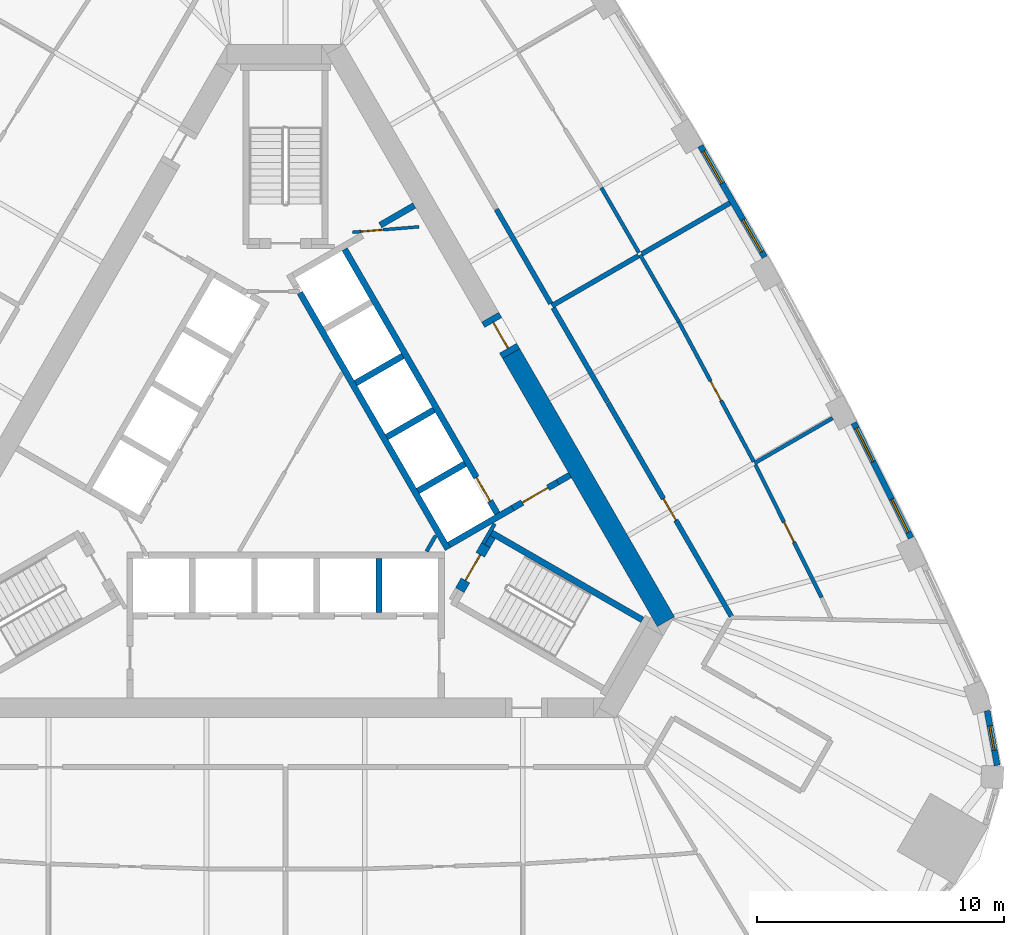
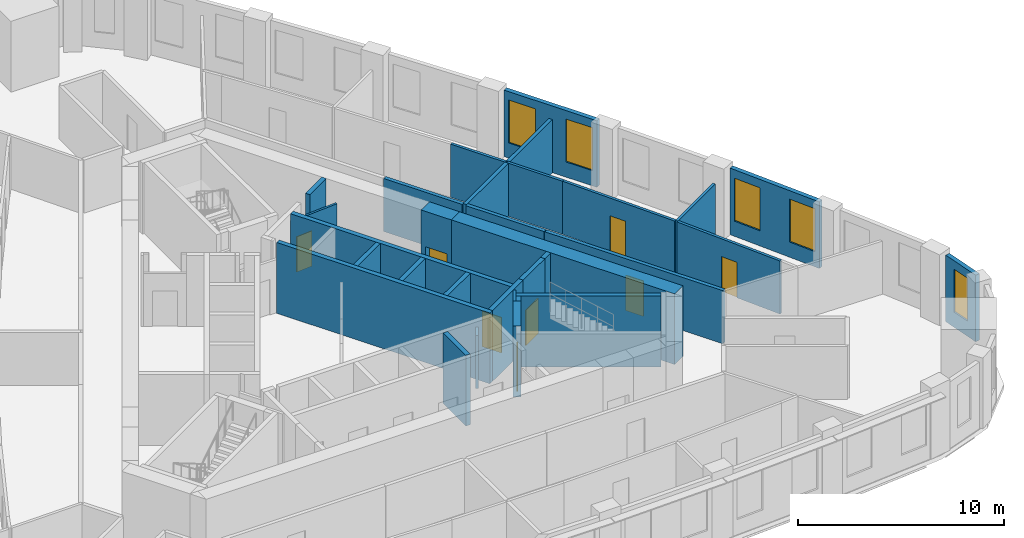
# One storey, part 7 of 10: 31 walls, 8 doors, 5 windows, 13 openings.
"""IFC4 building model written with IfcOpenShell, lengths in metres."""

from ifc_helpers import new_model, si_unit, direction, frame, frame_2d, origin, place, context, subcontext, project, spatial, rectangle, extrude, material, layer, layer_set, type_object, element, fill, save


model = new_model("IFC4")

# Units and contexts
model_context = context("Model", 3, precision=1e-05, world=origin(), true_north=direction((0.0, 1.0)))
body_context = subcontext(model_context, "Body", "Model", "MODEL_VIEW")
ifc_project = project(units=[si_unit("LENGTHUNIT", "METRE"), si_unit("AREAUNIT", "SQUARE_METRE"), si_unit("VOLUMEUNIT", "CUBIC_METRE"), si_unit("PLANEANGLEUNIT", "RADIAN"), si_unit("MASSUNIT", "GRAM", prefix="KILO")], contexts=[model_context])

# Site, building, storey
site_placement = place(None, origin())
site = spatial("IfcSite", under=ifc_project, at=site_placement, CompositionType="ELEMENT")
building_placement = place(site_placement, origin())
building = spatial("IfcBuilding", under=site, at=building_placement, Name="Mestral Congress Tower", CompositionType="ELEMENT")
storey_placement = place(building_placement, frame((0.0, 0.0, 162.60009765625)))
storey = spatial("IfcBuildingStorey", under=building, at=storey_placement, Name="L38", CompositionType="ELEMENT", Elevation=162.60009765625)

# Wall
ifc_material_1 = material(Name="Fire-rated board partition")
ifc_layer_1 = layer(ifc_material_1, 0.14990234375)
ifc_layer_set_1 = layer_set([ifc_layer_1], Name="Fire-rated board partition")
wall_type_1 = type_object("IfcWallType", Name="Core partition 150", PredefinedType="PARTITIONING", material=ifc_layer_set_1)
wall_1_placement = place(storey_placement, frame((5.704833984375, -3.718017578125, 0.0), z_axis=(0.0, 0.0, 1.0), x_axis=(0.499962090823, 0.866047289552, 0.0)))
element("IfcWall", 1, at=wall_1_placement, inside=storey, type_object=wall_type_1, Name="L38 core wall", PredefinedType="PARTITIONING", context=body_context, shape_type="SweptSolid", body=[
    extrude(rectangle(XDim=0.73486328125, YDim=0.14990234375, at=frame_2d((0.367431640625, 0.0))), origin(), (0.0, 0.0, 1.0), 3.14990234375),
])

# Wall, opening, door
ifc_layer_2 = layer(ifc_material_1, 0.1201171875)
ifc_layer_set_2 = layer_set([ifc_layer_2], Name="Fire-rated board partition")
wall_type_2 = type_object("IfcWallType", Name="Core partition 150 door-wall 120", PredefinedType="PARTITIONING", material=ifc_layer_set_2)
wall_2_placement = place(storey_placement, frame((5.3984375, 9.418701171875, 0.0), z_axis=(0.0, 0.0, 1.0), x_axis=(-0.996653416376, -0.081743303248, 0.0)))
wall_2 = element("IfcWall", 2, at=wall_2_placement, inside=storey, type_object=wall_type_2, Name="L38 door wall", PredefinedType="PARTITIONING", context=body_context, shape_type="SweptSolid", body=[
    extrude(rectangle(XDim=2.699951171875, YDim=0.119873046875, at=frame_2d((1.35009765625, 0.0))), origin(), (0.0, 0.0, 1.0), 3.14990234375),
])
opening_1_placement = place(wall_2_placement, frame((1.449951171875, 0.0, 0.0)))
opening_1 = element("IfcOpeningElement", 3, at=opening_1_placement, cuts=wall_2, Name="Opening TD2", PredefinedType="OPENING", context=body_context, shape_type="SweptSolid", body=[
    extrude(rectangle(XDim=0.89990234375, YDim=2.10009765625, at=frame_2d((0.449951171875, 1.050048828125))), frame((0.0, 0.06982421875, 0.0), z_axis=(0.0, -1.0, 0.0), x_axis=(1.0, 0.0, 0.0)), (0.0, 0.0, 1.0), 0.139892578125),
])
ifc_material_2 = material(Name="Fire-rated steel door set", Category="steel")
door_type_1 = type_object("IfcDoorType", Name="Core door SR 900x2100", OperationType="SINGLE_SWING_LEFT", PredefinedType="DOOR", material=ifc_material_2)
door_1_placement = place(opening_1_placement, origin())
door_1 = element("IfcDoor", 4, at=door_1_placement, inside=storey, type_object=door_type_1, Name="Door TD2", OperationType="SINGLE_SWING_LEFT", OverallHeight=2.10009765625, OverallWidth=0.89990234375, PredefinedType="DOOR", context=body_context, shape_type="SweptSolid", body=[
    extrude(rectangle(XDim=0.89990234375, YDim=2.10009765625, at=frame_2d((0.449951171875, 1.050048828125))), frame((0.0, 0.02490234375, 0.0), z_axis=(0.0, -1.0, 0.0), x_axis=(1.0, 0.0, 0.0)), (0.0, 0.0, 1.0), 0.050048828125),
])
fill(opening_1, door_1)

# Wall
ifc_material_3 = material(Name="Concrete C60/75", Category="concrete")
ifc_layer_3 = layer(ifc_material_3, 0.800048828125)
ifc_layer_set_3 = layer_set([ifc_layer_3], Name="Concrete C60/75")
wall_type_3 = type_object("IfcWallType", Name="Core wall RC 800", PredefinedType="SOLIDWALL", material=ifc_layer_set_3)
wall_3_placement = place(storey_placement, frame((9.128662109375, 4.288818359375, 0.0), z_axis=(0.0, 0.0, 1.0), x_axis=(0.499995742806, -0.866027861663, 0.0)))
element("IfcWall", 5, at=wall_3_placement, inside=storey, type_object=wall_type_3, Name="L38 core wall", PredefinedType="SOLIDWALL", context=body_context, shape_type="SweptSolid", body=[
    extrude(rectangle(XDim=12.52734375, YDim=0.800048828125, at=frame_2d((6.263671875, 0.0))), origin(), (0.0, 0.0, 1.0), 4.199951171875),
])

# Wall, opening, door
wall_4_placement = place(storey_placement, frame((8.278564453125, 5.760986328125, 0.0), z_axis=(0.0, 0.0, 1.0), x_axis=(0.500062241894, -0.865989465428, 0.0)))
wall_4 = element("IfcWall", 6, at=wall_4_placement, inside=storey, type_object=wall_type_3, Name="L38 door wall", PredefinedType="SOLIDWALL", context=body_context, shape_type="SweptSolid", body=[
    extrude(rectangle(XDim=1.699951171875, YDim=0.800048828125, at=frame_2d((0.85009765625, 0.0))), origin(), (0.0, 0.0, 1.0), 4.199951171875),
])
opening_2_placement = place(wall_4_placement, frame((0.25, 0.0, 0.0)))
opening_2 = element("IfcOpeningElement", 7, at=opening_2_placement, cuts=wall_4, Name="Opening XDL", PredefinedType="OPENING", context=body_context, shape_type="SweptSolid", body=[
    extrude(rectangle(XDim=1.199951171875, YDim=2.10009765625, at=frame_2d((0.60009765625, 1.050048828125))), frame((0.0, 0.409912109375, 0.0), z_axis=(0.0, -1.0, 0.0), x_axis=(1.0, 0.0, 0.0)), (0.0, 0.0, 1.0), 0.820068359375),
])
door_type_2 = type_object("IfcDoorType", Name="Core door XD 1200x2100", OperationType="SINGLE_SWING_LEFT", PredefinedType="DOOR", material=ifc_material_2)
door_2_placement = place(opening_2_placement, origin())
door_2 = element("IfcDoor", 8, at=door_2_placement, inside=storey, type_object=door_type_2, Name="Door XDL", OperationType="SINGLE_SWING_LEFT", OverallHeight=2.10009765625, OverallWidth=1.199951171875, PredefinedType="DOOR", context=body_context, shape_type="SweptSolid", body=[
    extrude(rectangle(XDim=1.199951171875, YDim=2.10009765625, at=frame_2d((0.60009765625, 1.050048828125))), frame((0.0, 0.02490234375, 0.0), z_axis=(0.0, -1.0, 0.0), x_axis=(1.0, 0.0, 0.0)), (0.0, 0.0, 1.0), 0.050048828125),
])
fill(opening_2, door_2)

# Wall, opening, window
ifc_material_4 = material(Name="Precast concrete C40/50 with limestone facing", Category="masonry")
ifc_layer_4 = layer(ifc_material_4, 0.239990234375)
ifc_layer_set_4 = layer_set([ifc_layer_4], Name="Precast concrete C40/50 with limestone facing")
wall_type_4 = type_object("IfcWallType", Name="Facade stone wall 240", PredefinedType="SOLIDWALL", material=ifc_layer_set_4)
wall_5_placement = place(storey_placement, frame((28.79931640625, -12.380126953125, 0.0), z_axis=(0.0, 0.0, 1.0), x_axis=(-0.180737189259, 0.983531427265, 0.0)))
wall_5 = element("IfcWall", 9, at=wall_5_placement, inside=storey, type_object=wall_type_4, Name="Facade wall K0-3", PredefinedType="SOLIDWALL", context=body_context, shape_type="SweptSolid", body=[
    extrude(rectangle(XDim=2.25048828125, YDim=0.239990234375, at=frame_2d((1.125244140625, 0.0))), origin(), (0.0, 0.0, 1.0), 3.949951171875),
])
opening_3_placement = place(wall_5_placement, frame((0.625244140625, 0.0, 0.89990234375)))
opening_3 = element("IfcOpeningElement", 10, at=opening_3_placement, cuts=wall_5, Name="Opening W5", PredefinedType="OPENING", context=body_context, shape_type="SweptSolid", body=[
    extrude(rectangle(XDim=1.0, YDim=2.550048828125, at=frame_2d((0.5, 1.27490234375))), frame((0.0, 0.1298828125, 0.0), z_axis=(0.0, -1.0, 0.0), x_axis=(1.0, 0.0, 0.0)), (0.0, 0.0, 1.0), 0.260009765625),
])
ifc_material_5 = material(Name="Clear low-emissivity double glazing", Category="glass")
window_type_1 = type_object("IfcWindowType", Name="Facade punched window 1000 x 2550 sill 900", PartitioningType="SINGLE_PANEL", PredefinedType="WINDOW", material=ifc_material_5)
window_1_placement = place(opening_3_placement, origin())
window_1 = element("IfcWindow", 11, at=window_1_placement, inside=storey, type_object=window_type_1, Name="Window K0-3", OverallHeight=2.550048828125, OverallWidth=1.0, PartitioningType="SINGLE_PANEL", PredefinedType="WINDOW", context=body_context, shape_type="SweptSolid", body=[
    extrude(rectangle(XDim=1.0, YDim=2.550048828125, at=frame_2d((0.5, 1.27490234375))), frame((0.0, 0.0400390625, 0.0), z_axis=(0.0, -1.0, 0.0), x_axis=(1.0, 0.0, 0.0)), (0.0, 0.0, 1.0), 0.06005859375),
])
fill(opening_3, window_1)

# Wall, openings, windows
wall_6_placement = place(storey_placement, frame((25.31591796875, -3.17138671875, 0.0), z_axis=(0.0, 0.0, 1.0), x_axis=(-0.446256171312, 0.8949052629, 0.0)))
wall_6 = element("IfcWall", 12, at=wall_6_placement, inside=storey, type_object=wall_type_4, Name="Facade wall F1-01", PredefinedType="SOLIDWALL", context=body_context, shape_type="SweptSolid", body=[
    extrude(rectangle(XDim=5.203369140625, YDim=0.239990234375, at=frame_2d((2.6015625, 0.0))), origin(), (0.0, 0.0, 1.0), 3.949951171875),
])
opening_4_placement = place(wall_6_placement, frame((0.248291015625, 0.0, 0.89990234375)))
opening_4 = element("IfcOpeningElement", 13, at=opening_4_placement, cuts=wall_6, Name="Opening W4", PredefinedType="OPENING", context=body_context, shape_type="SweptSolid", body=[
    extrude(rectangle(XDim=1.5, YDim=2.550048828125, at=frame_2d((0.75, 1.27490234375))), frame((0.0, 0.1298828125, 0.0), z_axis=(0.0, -1.0, 0.0), x_axis=(1.0, 0.0, 0.0)), (0.0, 0.0, 1.0), 0.260009765625),
])
opening_5_placement = place(wall_6_placement, frame((3.455078125, 0.0, 0.89990234375)))
opening_5 = element("IfcOpeningElement", 14, at=opening_5_placement, cuts=wall_6, Name="Opening W4", PredefinedType="OPENING", context=body_context, shape_type="SweptSolid", body=[
    extrude(rectangle(XDim=1.5, YDim=2.550048828125, at=frame_2d((0.75, 1.27490234375))), frame((0.0, 0.1298828125, 0.0), z_axis=(0.0, -1.0, 0.0), x_axis=(1.0, 0.0, 0.0)), (0.0, 0.0, 1.0), 0.260009765625),
])
window_type_2 = type_object("IfcWindowType", Name="Facade punched window 1500 x 2550 sill 900", PartitioningType="SINGLE_PANEL", PredefinedType="WINDOW", material=ifc_material_5)
window_2_placement = place(opening_4_placement, origin())
window_2 = element("IfcWindow", 15, at=window_2_placement, inside=storey, type_object=window_type_2, Name="Window F1-01a", OverallHeight=2.550048828125, OverallWidth=1.5, PartitioningType="SINGLE_PANEL", PredefinedType="WINDOW", context=body_context, shape_type="SweptSolid", body=[
    extrude(rectangle(XDim=1.5, YDim=2.550048828125, at=frame_2d((0.75, 1.27490234375))), frame((0.0, 0.0400390625, 0.0), z_axis=(0.0, -1.0, 0.0), x_axis=(1.0, 0.0, 0.0)), (0.0, 0.0, 1.0), 0.06005859375),
])
fill(opening_4, window_2)
window_3_placement = place(opening_5_placement, origin())
window_3 = element("IfcWindow", 16, at=window_3_placement, inside=storey, type_object=window_type_2, Name="Window F1-01b", OverallHeight=2.550048828125, OverallWidth=1.5, PartitioningType="SINGLE_PANEL", PredefinedType="WINDOW", context=body_context, shape_type="SweptSolid", body=[
    extrude(rectangle(XDim=1.5, YDim=2.550048828125, at=frame_2d((0.75, 1.27490234375))), frame((0.0, 0.0400390625, 0.0), z_axis=(0.0, -1.0, 0.0), x_axis=(1.0, 0.0, 0.0)), (0.0, 0.0, 1.0), 0.06005859375),
])
fill(opening_5, window_3)

wall_7_placement = place(storey_placement, frame((19.390625, 8.19091796875, 0.0), z_axis=(0.0, 0.0, 1.0), x_axis=(-0.500009456303, 0.866019944116, 0.0)))
wall_7 = element("IfcWall", 17, at=wall_7_placement, inside=storey, type_object=wall_type_4, Name="Facade wall F1-03", PredefinedType="SOLIDWALL", context=body_context, shape_type="SweptSolid", body=[
    extrude(rectangle(XDim=5.20361328125, YDim=0.239990234375, at=frame_2d((2.601806640625, 0.0))), origin(), (0.0, 0.0, 1.0), 3.949951171875),
])
opening_6_placement = place(wall_7_placement, frame((0.248291015625, 0.0, 0.89990234375)))
opening_6 = element("IfcOpeningElement", 18, at=opening_6_placement, cuts=wall_7, Name="Opening W4", PredefinedType="OPENING", context=body_context, shape_type="SweptSolid", body=[
    extrude(rectangle(XDim=1.5, YDim=2.550048828125, at=frame_2d((0.75, 1.27490234375))), frame((0.0, 0.1298828125, 0.0), z_axis=(0.0, -1.0, 0.0), x_axis=(1.0, 0.0, 0.0)), (0.0, 0.0, 1.0), 0.260009765625),
])
opening_7_placement = place(wall_7_placement, frame((3.455078125, 0.0, 0.89990234375)))
opening_7 = element("IfcOpeningElement", 19, at=opening_7_placement, cuts=wall_7, Name="Opening W4", PredefinedType="OPENING", context=body_context, shape_type="SweptSolid", body=[
    extrude(rectangle(XDim=1.5, YDim=2.550048828125, at=frame_2d((0.75, 1.27490234375))), frame((0.0, 0.1298828125, 0.0), z_axis=(0.0, -1.0, 0.0), x_axis=(1.0, 0.0, 0.0)), (0.0, 0.0, 1.0), 0.260009765625),
])
window_4_placement = place(opening_6_placement, origin())
window_4 = element("IfcWindow", 20, at=window_4_placement, inside=storey, type_object=window_type_2, Name="Window F1-03a", OverallHeight=2.550048828125, OverallWidth=1.5, PartitioningType="SINGLE_PANEL", PredefinedType="WINDOW", context=body_context, shape_type="SweptSolid", body=[
    extrude(rectangle(XDim=1.5, YDim=2.550048828125, at=frame_2d((0.75, 1.27490234375))), frame((0.0, 0.0400390625, 0.0), z_axis=(0.0, -1.0, 0.0), x_axis=(1.0, 0.0, 0.0)), (0.0, 0.0, 1.0), 0.06005859375),
])
fill(opening_6, window_4)
window_5_placement = place(opening_7_placement, origin())
window_5 = element("IfcWindow", 21, at=window_5_placement, inside=storey, type_object=window_type_2, Name="Window F1-03b", OverallHeight=2.550048828125, OverallWidth=1.5, PartitioningType="SINGLE_PANEL", PredefinedType="WINDOW", context=body_context, shape_type="SweptSolid", body=[
    extrude(rectangle(XDim=1.5, YDim=2.550048828125, at=frame_2d((0.75, 1.27490234375))), frame((0.0, 0.0400390625, 0.0), z_axis=(0.0, -1.0, 0.0), x_axis=(1.0, 0.0, 0.0)), (0.0, 0.0, 1.0), 0.06005859375),
])
fill(opening_7, window_5)

# Wall
ifc_material_6 = material(Name="Plasterboard partition on steel studs", Category="steel")
ifc_layer_5 = layer(ifc_material_6, 0.14990234375)
ifc_layer_set_5 = layer_set([ifc_layer_5], Name="Plasterboard partition on steel studs")
wall_type_5 = type_object("IfcWallType", Name="Office partition 150", PredefinedType="PARTITIONING", material=ifc_layer_set_5)
wall_8_placement = place(storey_placement, frame((18.980224609375, -0.146728515625, 0.0), z_axis=(0.0, 0.0, 1.0), x_axis=(0.866035116605, 0.499983176524, 0.0)))
element("IfcWall", 22, at=wall_8_placement, inside=storey, type_object=wall_type_5, Name="Partition", PredefinedType="PARTITIONING", context=body_context, shape_type="SweptSolid", body=[
    extrude(rectangle(XDim=3.647705078125, YDim=0.14990234375, at=frame_2d((1.82373046875, 0.0))), origin(), (0.0, 0.0, 1.0), 3.14990234375),
])

# Wall, opening, door
wall_9_placement = place(storey_placement, frame((19.013916015625, -0.2138671875, 0.0), z_axis=(0.0, 0.0, 1.0), x_axis=(0.446219729364, -0.894923434225, 0.0)))
wall_9 = element("IfcWall", 23, at=wall_9_placement, inside=storey, type_object=wall_type_5, Name="Partition", PredefinedType="PARTITIONING", context=body_context, shape_type="SweptSolid", body=[
    extrude(rectangle(XDim=5.995361328125, YDim=0.14990234375, at=frame_2d((2.99755859375, 0.0))), origin(), (0.0, 0.0, 1.0), 3.14990234375),
])
opening_8_placement = place(wall_9_placement, frame((2.595458984375, 0.0, 0.0)))
opening_8 = element("IfcOpeningElement", 24, at=opening_8_placement, cuts=wall_9, Name="Opening O02-005", PredefinedType="OPENING", context=body_context, shape_type="SweptSolid", body=[
    extrude(rectangle(XDim=0.89990234375, YDim=2.10009765625, at=frame_2d((0.449951171875, 1.050048828125))), frame((0.0, 0.0849609375, 0.0), z_axis=(0.0, -1.0, 0.0), x_axis=(1.0, 0.0, 0.0)), (0.0, 0.0, 1.0), 0.169921875),
])
ifc_material_7 = material(Name="Timber door set", Category="wood")
door_type_3 = type_object("IfcDoorType", Name="Office door 900x2100", OperationType="SINGLE_SWING_LEFT", PredefinedType="DOOR", material=ifc_material_7)
door_3_placement = place(opening_8_placement, origin())
door_3 = element("IfcDoor", 25, at=door_3_placement, inside=storey, type_object=door_type_3, Name="Door O02-005", OperationType="SINGLE_SWING_RIGHT", OverallHeight=2.10009765625, OverallWidth=0.89990234375, PredefinedType="DOOR", context=body_context, shape_type="SweptSolid", body=[
    extrude(rectangle(XDim=0.89990234375, YDim=2.10009765625, at=frame_2d((0.449951171875, 1.050048828125))), frame((0.0, 0.02490234375, 0.0), z_axis=(0.0, -1.0, 0.0), x_axis=(1.0, 0.0, 0.0)), (0.0, 0.0, 1.0), 0.050048828125),
])
fill(opening_8, door_3)

wall_10_placement = place(storey_placement, frame((15.91748046875, 5.56640625, 0.0), z_axis=(0.0, 0.0, 1.0), x_axis=(0.472485737981, -0.881338316088, 0.0)))
wall_10 = element("IfcWall", 26, at=wall_10_placement, inside=storey, type_object=wall_type_5, Name="Partition", PredefinedType="PARTITIONING", context=body_context, shape_type="SweptSolid", body=[
    extrude(rectangle(XDim=6.4072265625, YDim=0.14990234375, at=frame_2d((3.20361328125, 0.0))), origin(), (0.0, 0.0, 1.0), 3.14990234375),
])
opening_9_placement = place(wall_10_placement, frame((2.70703125, 0.0, 0.0)))
opening_9 = element("IfcOpeningElement", 27, at=opening_9_placement, cuts=wall_10, Name="Opening O02-006", PredefinedType="OPENING", context=body_context, shape_type="SweptSolid", body=[
    extrude(rectangle(XDim=0.89990234375, YDim=2.10009765625, at=frame_2d((0.449951171875, 1.050048828125))), frame((0.0, 0.0849609375, 0.0), z_axis=(0.0, -1.0, 0.0), x_axis=(1.0, 0.0, 0.0)), (0.0, 0.0, 1.0), 0.169921875),
])
door_4_placement = place(opening_9_placement, origin())
door_4 = element("IfcDoor", 28, at=door_4_placement, inside=storey, type_object=door_type_3, Name="Door O02-006", OperationType="SINGLE_SWING_LEFT", OverallHeight=2.10009765625, OverallWidth=0.89990234375, PredefinedType="DOOR", context=body_context, shape_type="SweptSolid", body=[
    extrude(rectangle(XDim=0.89990234375, YDim=2.10009765625, at=frame_2d((0.449951171875, 1.050048828125))), frame((0.0, 0.02490234375, 0.0), z_axis=(0.0, -1.0, 0.0), x_axis=(1.0, 0.0, 0.0)), (0.0, 0.0, 1.0), 0.050048828125),
])
fill(opening_9, door_4)

# Walls
wall_11_placement = place(storey_placement, frame((15.91748046875, 5.56640625, 0.0), z_axis=(0.0, 0.0, 1.0), x_axis=(-0.499996312652, 0.866027532665, 0.0)))
element("IfcWall", 29, at=wall_11_placement, inside=storey, type_object=wall_type_5, Name="Partition", PredefinedType="PARTITIONING", context=body_context, shape_type="SweptSolid", body=[
    extrude(rectangle(XDim=3.13818359375, YDim=0.14990234375, at=frame_2d((1.569091796875, 0.0))), origin(), (0.0, 0.0, 1.0), 3.14990234375),
])
wall_12_placement = place(storey_placement, frame((14.298583984375, 8.37060546875, 0.0), z_axis=(0.0, 0.0, 1.0), x_axis=(-0.500019211527, 0.86601431172, 0.0)))
element("IfcWall", 30, at=wall_12_placement, inside=storey, type_object=wall_type_5, Name="Partition", PredefinedType="PARTITIONING", context=body_context, shape_type="SweptSolid", body=[
    extrude(rectangle(XDim=3.03857421875, YDim=0.14990234375, at=frame_2d((1.519287109375, 0.0))), origin(), (0.0, 0.0, 1.0), 3.14990234375),
])
ifc_material_8 = material(Name="Dense masonry wall, plastered", Category="masonry")
ifc_layer_6 = layer(ifc_material_8, 0.199951171875)
ifc_layer_set_6 = layer_set([ifc_layer_6], Name="Dense masonry wall, plastered")
wall_type_6 = type_object("IfcWallType", Name="Office tenancy wall 200", PredefinedType="PARTITIONING", material=ifc_layer_set_6)
wall_13_placement = place(storey_placement, frame((14.413330078125, 8.321533203125, 0.0), z_axis=(0.0, 0.0, 1.0), x_axis=(0.866034795751, 0.499983732284, 0.0)))
element("IfcWall", 31, at=wall_13_placement, inside=storey, type_object=wall_type_6, Name="Tenancy wall", PredefinedType="PARTITIONING", context=body_context, shape_type="SweptSolid", body=[
    extrude(rectangle(XDim=4.125244140625, YDim=0.199951171875, at=frame_2d((2.0625, 0.0))), origin(), (0.0, 0.0, 1.0), 3.14990234375),
])
wall_14_placement = place(storey_placement, frame((10.781982421875, 6.22509765625, 0.0), z_axis=(0.0, 0.0, 1.0), x_axis=(0.866034752867, 0.499983806564, 0.0)))
element("IfcWall", 32, at=wall_14_placement, inside=storey, type_object=wall_type_6, Name="Tenancy wall", PredefinedType="PARTITIONING", context=body_context, shape_type="SweptSolid", body=[
    extrude(rectangle(XDim=4.043212890625, YDim=0.199951171875, at=frame_2d((2.021484375, 0.0))), origin(), (0.0, 0.0, 1.0), 3.14990234375),
])
wall_15_placement = place(storey_placement, frame((13.031982421875, 2.327880859375, 0.0), z_axis=(0.0, 0.0, 1.0), x_axis=(-0.499988222896, 0.866032203192, 0.0)))
element("IfcWall", 33, at=wall_15_placement, inside=storey, type_object=wall_type_6, Name="Tenancy wall", PredefinedType="PARTITIONING", context=body_context, shape_type="SweptSolid", body=[
    extrude(rectangle(XDim=4.39990234375, YDim=0.199951171875, at=frame_2d((2.199951171875, 0.0))), origin(), (0.0, 0.0, 1.0), 3.14990234375),
])

# Wall, opening, door
wall_16_placement = place(storey_placement, frame((18.042236328125, -6.35009765625, 0.0), z_axis=(0.0, 0.0, 1.0), x_axis=(-0.499986873641, 0.866032982159, 0.0)))
wall_16 = element("IfcWall", 34, at=wall_16_placement, inside=storey, type_object=wall_type_6, Name="Tenancy wall", PredefinedType="PARTITIONING", context=body_context, shape_type="SweptSolid", body=[
    extrude(rectangle(XDim=9.990478515625, YDim=0.199951171875, at=frame_2d((4.9951171875, 0.0))), origin(), (0.0, 0.0, 1.0), 3.14990234375),
])
opening_10_placement = place(wall_16_placement, frame((4.5, 0.0, 0.0)))
opening_10 = element("IfcOpeningElement", 35, at=opening_10_placement, cuts=wall_16, Name="Opening O02-007", PredefinedType="OPENING", context=body_context, shape_type="SweptSolid", body=[
    extrude(rectangle(XDim=1.0, YDim=2.10009765625, at=frame_2d((0.5, 1.050048828125))), frame((0.0, 0.10986328125, 0.0), z_axis=(0.0, -1.0, 0.0), x_axis=(1.0, 0.0, 0.0)), (0.0, 0.0, 1.0), 0.219970703125),
])
ifc_material_9 = material(Name="Fire-rated timber door set", Category="wood")
door_type_4 = type_object("IfcDoorType", Name="Office tenancy entrance door 1000x2100", OperationType="SINGLE_SWING_LEFT", PredefinedType="DOOR", material=ifc_material_9)
door_5_placement = place(opening_10_placement, origin())
door_5 = element("IfcDoor", 36, at=door_5_placement, inside=storey, type_object=door_type_4, Name="Door O02-007", OperationType="SINGLE_SWING_RIGHT", OverallHeight=2.10009765625, OverallWidth=1.0, PredefinedType="DOOR", context=body_context, shape_type="SweptSolid", body=[
    extrude(rectangle(XDim=1.0, YDim=2.10009765625, at=frame_2d((0.5, 1.050048828125))), frame((0.0, 0.02490234375, 0.0), z_axis=(0.0, -1.0, 0.0), x_axis=(1.0, 0.0, 0.0)), (0.0, 0.0, 1.0), 0.050048828125),
])
fill(opening_10, door_5)

# Walls
wall_17_placement = place(storey_placement, frame((10.73193359375, 6.3115234375, 0.0), z_axis=(0.0, 0.0, 1.0), x_axis=(-0.499984786451, 0.866034187153, 0.0)))
element("IfcWall", 37, at=wall_17_placement, inside=storey, type_object=wall_type_6, Name="Tenancy wall", PredefinedType="PARTITIONING", context=body_context, shape_type="SweptSolid", body=[
    extrude(rectangle(XDim=4.404052734375, YDim=0.199951171875, at=frame_2d((2.2021484375, 0.0))), origin(), (0.0, 0.0, 1.0), 3.14990234375),
])
ifc_layer_7 = layer(ifc_material_3, 0.25)
ifc_layer_set_7 = layer_set([ifc_layer_7], Name="Concrete C60/75")
wall_type_7 = type_object("IfcWallType", Name="Shaft wall RC 250", PredefinedType="SOLIDWALL", material=ifc_layer_set_7)
wall_18_placement = place(storey_placement, frame((3.780029296875, -4.0, 0.0), z_axis=(0.0, 0.0, 1.0), x_axis=(0.0, -1.0, 0.0)))
element("IfcWall", 38, at=wall_18_placement, inside=storey, type_object=wall_type_7, Name="L38 core wall", PredefinedType="SOLIDWALL", context=body_context, shape_type="SweptSolid", body=[
    extrude(rectangle(XDim=2.199951171875, YDim=0.25, at=frame_2d((1.10009765625, 0.0))), origin(), (0.0, 0.0, 1.0), 4.199951171875),
])
wall_19_placement = place(storey_placement, frame((11.507080078125, -0.631103515625, 0.0), z_axis=(0.0, 0.0, 1.0), x_axis=(-0.866093731455, -0.499881634324, 0.0)))
element("IfcWall", 39, at=wall_19_placement, inside=storey, type_object=wall_type_7, Name="L38 core wall", PredefinedType="SOLIDWALL", context=body_context, shape_type="SweptSolid", body=[
    extrude(rectangle(XDim=0.575439453125, YDim=0.25, at=frame_2d((0.28759765625, 0.0))), origin(), (0.0, 0.0, 1.0), 4.199951171875),
])
wall_20_placement = place(storey_placement, frame((6.568359375, -3.626708984375, 0.0), z_axis=(0.0, 0.0, 1.0), x_axis=(-0.499999455981, 0.866025717874, 0.0)))
element("IfcWall", 40, at=wall_20_placement, inside=storey, type_object=wall_type_7, Name="L38 core wall", PredefinedType="SOLIDWALL", context=body_context, shape_type="SweptSolid", body=[
    extrude(rectangle(XDim=11.97802734375, YDim=0.25, at=frame_2d((5.989013671875, 0.0))), origin(), (0.0, 0.0, 1.0), 4.199951171875),
])
for number, where, z_axis, x_axis, name in (
    (41, (2.833984375, 3.091064453125, 0.0), (0.0, 0.0, 1.0), (0.866008176907, 0.50002983664, 0.0), "L38 core wall"),
    (42, (4.093994140625, 0.90869140625, 0.0), (0.0, 0.0, 1.0), (0.866008176907, 0.50002983664, 0.0), "L38 core wall"),
    (43, (5.35400390625, -1.273681640625, 0.0), (0.0, 0.0, 1.0), (0.866008176907, 0.50002983664, 0.0), "L38 core wall"),
):
    element("IfcWall", number, at=place(storey_placement, frame(where, z_axis=z_axis, x_axis=x_axis)), inside=storey, type_object=wall_type_7, Name=name, PredefinedType="SOLIDWALL", context=body_context, shape_type="SweptSolid", body=[
        extrude(rectangle(XDim=2.199951171875, YDim=0.25, at=frame_2d((1.10009765625, 0.0))), origin(), (0.0, 0.0, 1.0), 4.199951171875),
    ])
wall_21_placement = place(storey_placement, frame((6.614013671875, -3.4560546875, 0.0), z_axis=(0.0, 0.0, 1.0), x_axis=(0.866032512851, 0.499987686533, 0.0)))
element("IfcWall", 44, at=wall_21_placement, inside=storey, type_object=wall_type_7, Name="L38 core wall", PredefinedType="SOLIDWALL", context=body_context, shape_type="SweptSolid", body=[
    extrude(rectangle(XDim=2.974609375, YDim=0.25, at=frame_2d((1.4873046875, 0.0))), origin(), (0.0, 0.0, 1.0), 4.199951171875),
])
wall_22_placement = place(storey_placement, frame((3.82958984375, 9.485595703125, 0.0), z_axis=(0.0, 0.0, 1.0), x_axis=(0.865986202621, 0.500067892261, 0.0)))
element("IfcWall", 45, at=wall_22_placement, inside=storey, type_object=wall_type_7, Name="L38 core wall", PredefinedType="SOLIDWALL", context=body_context, shape_type="SweptSolid", body=[
    extrude(rectangle(XDim=1.590576171875, YDim=0.25, at=frame_2d((0.79541015625, 0.0))), origin(), (0.0, 0.0, 1.0), 4.199951171875),
])

# Wall, opening, door
wall_23_placement = place(storey_placement, frame((8.565185546875, -2.185302734375, 0.0), z_axis=(0.0, 0.0, 1.0), x_axis=(-0.499997954832, 0.866026584559, 0.0)))
wall_23 = element("IfcWall", 46, at=wall_23_placement, inside=storey, type_object=wall_type_7, Name="L38 door wall", PredefinedType="SOLIDWALL", context=body_context, shape_type="SweptSolid", body=[
    extrude(rectangle(XDim=12.35009765625, YDim=0.25, at=frame_2d((6.175048828125, 0.0))), origin(), (0.0, 0.0, 1.0), 4.199951171875),
])
opening_11_placement = place(wall_23_placement, frame((0.5849609375, 0.0, 0.0)))
opening_11 = element("IfcOpeningElement", 47, at=opening_11_placement, cuts=wall_23, Name="Opening LD-NEB1", PredefinedType="OPENING", context=body_context, shape_type="SweptSolid", body=[
    extrude(rectangle(XDim=1.10009765625, YDim=2.10009765625, at=frame_2d((0.550048828125, 1.050048828125))), frame((0.0, 0.135009765625, 0.0), z_axis=(0.0, -1.0, 0.0), x_axis=(1.0, 0.0, 0.0)), (0.0, 0.0, 1.0), 0.27001953125),
])
door_type_5 = type_object("IfcDoorType", Name="Core door LD 1100x2100", OperationType="DOUBLE_DOOR_SLIDING", PredefinedType="DOOR", material=ifc_material_2)
door_6_placement = place(opening_11_placement, origin())
door_6 = element("IfcDoor", 48, at=door_6_placement, inside=storey, type_object=door_type_5, Name="Door LD-NEB1", OperationType="DOUBLE_DOOR_SLIDING", OverallHeight=2.10009765625, OverallWidth=1.10009765625, PredefinedType="DOOR", context=body_context, shape_type="SweptSolid", body=[
    extrude(rectangle(XDim=1.10009765625, YDim=2.10009765625, at=frame_2d((0.550048828125, 1.050048828125))), frame((0.0, 0.02490234375, 0.0), z_axis=(0.0, -1.0, 0.0), x_axis=(1.0, 0.0, 0.0)), (0.0, 0.0, 1.0), 0.050048828125),
])
fill(opening_11, door_6)

wall_24_placement = place(storey_placement, frame((11.0087890625, -0.918701171875, 0.0), z_axis=(0.0, 0.0, 1.0), x_axis=(-0.866059744384, -0.49994051562, 0.0)))
wall_24 = element("IfcWall", 49, at=wall_24_placement, inside=storey, type_object=wall_type_7, Name="L38 door wall", PredefinedType="SOLIDWALL", context=body_context, shape_type="SweptSolid", body=[
    extrude(rectangle(XDim=2.099853515625, YDim=0.25, at=frame_2d((1.0498046875, 0.0))), origin(), (0.0, 0.0, 1.0), 4.199951171875),
])
opening_12_placement = place(wall_24_placement, frame((0.449951171875, 0.0, 0.0)))
opening_12 = element("IfcOpeningElement", 50, at=opening_12_placement, cuts=wall_24, Name="Opening LB1-PX10", PredefinedType="OPENING", context=body_context, shape_type="SweptSolid", body=[
    extrude(rectangle(XDim=1.199951171875, YDim=2.10009765625, at=frame_2d((0.60009765625, 1.050048828125))), frame((0.0, 0.135009765625, 0.0), z_axis=(0.0, -1.0, 0.0), x_axis=(1.0, 0.0, 0.0)), (0.0, 0.0, 1.0), 0.27001953125),
])
door_type_6 = type_object("IfcDoorType", Name="Core door LB 1200x2100", OperationType="SINGLE_SWING_LEFT", PredefinedType="DOOR", material=ifc_material_2)
door_7_placement = place(opening_12_placement, origin())
door_7 = element("IfcDoor", 51, at=door_7_placement, inside=storey, type_object=door_type_6, Name="Door LB1-PX10", OperationType="SINGLE_SWING_LEFT", OverallHeight=2.10009765625, OverallWidth=1.199951171875, PredefinedType="DOOR", context=body_context, shape_type="SweptSolid", body=[
    extrude(rectangle(XDim=1.199951171875, YDim=2.10009765625, at=frame_2d((0.60009765625, 1.050048828125))), frame((0.0, 0.02490234375, 0.0), z_axis=(0.0, -1.0, 0.0), x_axis=(1.0, 0.0, 0.0)), (0.0, 0.0, 1.0), 0.050048828125),
])
fill(opening_12, door_7)

# Walls
ifc_layer_8 = layer(ifc_material_3, 0.14990234375)
ifc_layer_set_8 = layer_set([ifc_layer_8], Name="Concrete C60/75")
wall_type_8 = type_object("IfcWallType", Name="Shaft wall RC 250 door-wall 150", PredefinedType="SOLIDWALL", material=ifc_layer_set_8)
wall_25_placement = place(storey_placement, frame((8.459228515625, -2.59912109375, 0.0), z_axis=(0.0, 0.0, 1.0), x_axis=(-0.500041054325, -0.866001699761, 0.0)))
element("IfcWall", 52, at=wall_25_placement, inside=storey, type_object=wall_type_8, Name="L38 core wall", PredefinedType="PARTITIONING", context=body_context, shape_type="SweptSolid", body=[
    extrude(rectangle(XDim=0.9287109375, YDim=0.14990234375, at=frame_2d((0.46435546875, 0.0))), origin(), (0.0, 0.0, 1.0), 4.199951171875),
])
ifc_layer_9 = layer(ifc_material_3, 0.25)
ifc_layer_set_9 = layer_set([ifc_layer_9], Name="Concrete C60/75")
wall_type_9 = type_object("IfcWallType", Name="Stair wall RC 250", PredefinedType="SOLIDWALL", material=ifc_layer_set_9)
wall_26_placement = place(storey_placement, frame((8.33447265625, -2.96435546875, 0.0), z_axis=(0.0, 0.0, 1.0), x_axis=(0.866016039709, -0.500016218704, 0.0)))
element("IfcWall", 53, at=wall_26_placement, inside=storey, type_object=wall_type_9, Name="L38 core wall", PredefinedType="SOLIDWALL", context=body_context, shape_type="SweptSolid", body=[
    extrude(rectangle(XDim=7.050048828125, YDim=0.25, at=frame_2d((3.52490234375, 0.0))), origin(), (0.0, 0.0, 1.0), 4.199951171875),
])
wall_27_placement = place(storey_placement, frame((8.167724609375, -3.503173828125, 0.0), z_axis=(0.0, 0.0, 1.0), x_axis=(0.49972245349, 0.866185586049, 0.0)))
element("IfcWall", 54, at=wall_27_placement, inside=storey, type_object=wall_type_9, Name="L38 core wall", PredefinedType="SOLIDWALL", context=body_context, shape_type="SweptSolid", body=[
    extrude(rectangle(XDim=0.425048828125, YDim=0.25, at=frame_2d((0.21240234375, 0.0))), origin(), (0.0, 0.0, 1.0), 4.199951171875),
])

# Wall, opening, door
ifc_layer_10 = layer(ifc_material_3, 0.39990234375)
ifc_layer_set_10 = layer_set([ifc_layer_10], Name="Concrete C60/75")
wall_type_10 = type_object("IfcWallType", Name="Stair wall RC 250 door-wall 400", PredefinedType="SOLIDWALL", material=ifc_layer_set_10)
wall_28_placement = place(storey_placement, frame((7.052734375, -5.2841796875, 0.0), z_axis=(0.0, 0.0, 1.0), x_axis=(0.500078061341, 0.865980330357, 0.0)))
wall_28 = element("IfcWall", 55, at=wall_28_placement, inside=storey, type_object=wall_type_10, Name="L38 door wall", PredefinedType="SOLIDWALL", context=body_context, shape_type="SweptSolid", body=[
    extrude(rectangle(XDim=2.099853515625, YDim=0.39990234375, at=frame_2d((1.0498046875, 0.0))), origin(), (0.0, 0.0, 1.0), 4.199951171875),
])
opening_13_placement = place(wall_28_placement, frame((0.449951171875, 0.0, 0.0)))
opening_13 = element("IfcOpeningElement", 56, at=opening_13_placement, cuts=wall_28, Name="Opening ST-D1", PredefinedType="OPENING", context=body_context, shape_type="SweptSolid", body=[
    extrude(rectangle(XDim=1.199951171875, YDim=2.10009765625, at=frame_2d((0.60009765625, 1.050048828125))), frame((0.0, 0.2099609375, 0.0), z_axis=(0.0, -1.0, 0.0), x_axis=(1.0, 0.0, 0.0)), (0.0, 0.0, 1.0), 0.419921875),
])
door_type_7 = type_object("IfcDoorType", Name="Core door ST 1200x2100", OperationType="SINGLE_SWING_LEFT", PredefinedType="DOOR", material=ifc_material_2)
door_8_placement = place(opening_13_placement, origin())
door_8 = element("IfcDoor", 57, at=door_8_placement, inside=storey, type_object=door_type_7, Name="Door ST-D1", OperationType="SINGLE_SWING_LEFT", OverallHeight=2.10009765625, OverallWidth=1.199951171875, PredefinedType="DOOR", context=body_context, shape_type="SweptSolid", body=[
    extrude(rectangle(XDim=1.199951171875, YDim=2.10009765625, at=frame_2d((0.60009765625, 1.050048828125))), frame((0.0, 0.02490234375, 0.0), z_axis=(0.0, -1.0, 0.0), x_axis=(1.0, 0.0, 0.0)), (0.0, 0.0, 1.0), 0.050048828125),
])
fill(opening_13, door_8)

save(model, "model.ifc")
